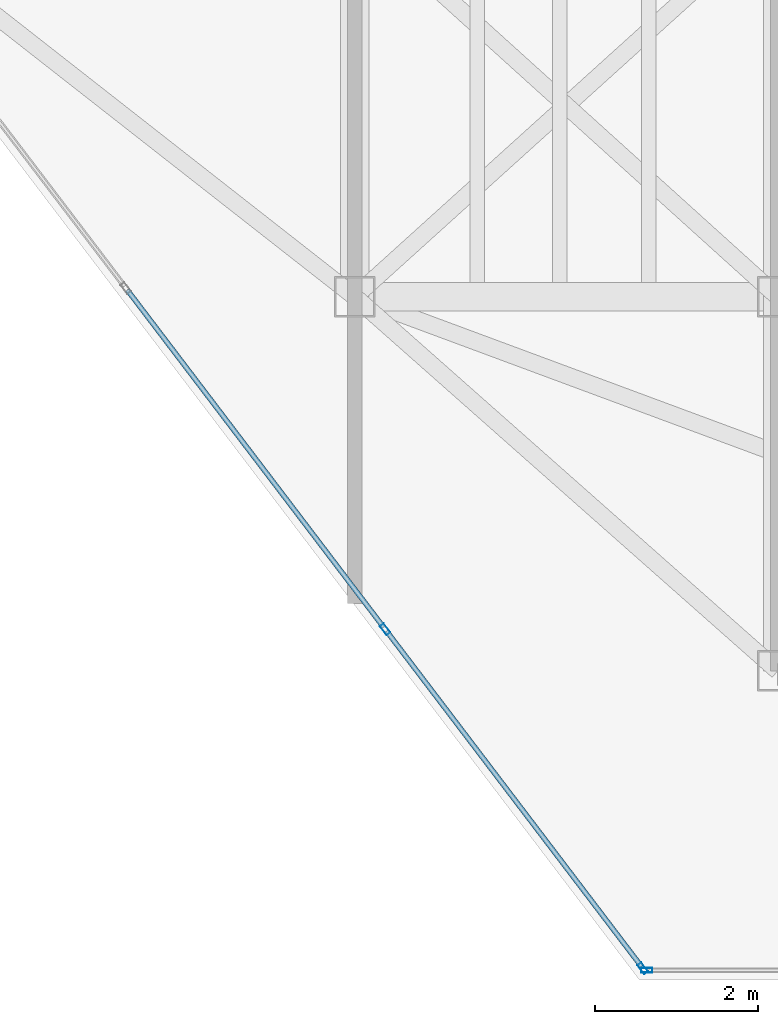
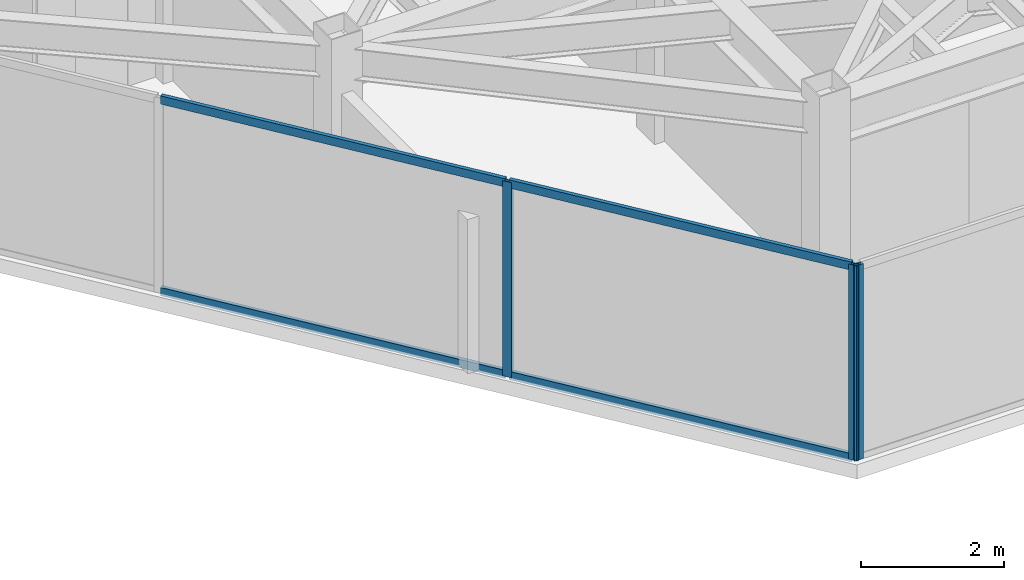
# One storey, part 6 of 19: 7 members, 2 elements without a shape of their own.
"""IFC4 building model written with IfcOpenShell, lengths in metres."""

from ifc_helpers import new_model, si_unit, direction, frame, origin, origin_2d, place, context, subcontext, project, spatial, hollow_rectangle, extrude, material, layer, layer_set, material_profile, profile_set, type_object, element, aggregate, save


model = new_model("IFC4")

# Units and contexts
model_context = context("Model", 3, precision=1e-05, world=origin(), true_north=direction((0.0, 1.0)))
body_context = subcontext(model_context, "Body", "Model", "MODEL_VIEW")
ifc_project = project(units=[si_unit("LENGTHUNIT", "METRE"), si_unit("AREAUNIT", "SQUARE_METRE"), si_unit("VOLUMEUNIT", "CUBIC_METRE"), si_unit("PLANEANGLEUNIT", "RADIAN"), si_unit("MASSUNIT", "GRAM", prefix="KILO")], contexts=[model_context])

# Site, building, storey
site_placement = place(None, origin())
site = spatial("IfcSite", under=ifc_project, at=site_placement, CompositionType="ELEMENT")
building_placement = place(site_placement, origin())
building = spatial("IfcBuilding", under=site, at=building_placement, Name="Kravanh Interchange Tower", CompositionType="ELEMENT")
storey_placement = place(building_placement, frame((0.0, 0.0, 274.199951171875)))
storey = spatial("IfcBuildingStorey", under=building, at=storey_placement, Name="L67", CompositionType="ELEMENT", Elevation=274.199951171875)

# Curtain wall, member
ifc_material_1 = material(Name="Anodised Bronze Aluminium", Category="aluminium")
ifc_layer = layer(ifc_material_1, 0.179931640625)
ifc_layer_set = layer_set([ifc_layer], Name="Unitised Curtain Wall System CW-HTL Luxury Hotel")
curtain_wall_type = type_object("IfcCurtainWallType", Name="Unitised Curtain Wall System CW-HTL Luxury Hotel", PredefinedType="NOTDEFINED", material=ifc_layer_set)
curtain_wall_1_placement = place(storey_placement, origin())
curtain_wall_1 = element("IfcCurtainWall", 1, at=curtain_wall_1_placement, inside=storey, type_object=curtain_wall_type, Name="L67 Unitised Curtain Wall CW-L67-03", PredefinedType="NOTDEFINED")
ifc_material_2 = material(Name="Anodised Bronze Aluminium", Category="aluminium")
ifc_material_profile_1 = material_profile(ifc_material_2, hollow_rectangle(XDim=0.06005859375, YDim=0.139892578125, WallThickness=0.00390625, at=origin_2d()), Name="ALU60X140X4")
ifc_profile_set_1 = profile_set([ifc_material_profile_1], Name="Anodised Bronze Aluminium")
member_type_1 = type_object("IfcMemberType", Name="Curtain Wall Mullion ALU60X140X4 Bronze", PredefinedType="MULLION", material=ifc_profile_set_1)
member_1_placement = place(storey_placement, frame((54.389404296875, 18.52001953125, 0.0), z_axis=(0.0, 0.0, 1.0), x_axis=(0.0, -1.0, 0.0)))
member_1 = element("IfcMember", 2, at=member_1_placement, type_object=member_type_1, Name="CW-HTL mullion 3", PredefinedType="MULLION", context=body_context, shape_type="SweptSolid", body=[
    extrude(hollow_rectangle(XDim=0.06005859375, YDim=0.139892578125, WallThickness=0.00390625, at=origin_2d()), origin(), (0.0, 0.0, 1.0), 3.320068359375),
])
aggregate(curtain_wall_1, [member_1])

# Curtain wall, members
curtain_wall_2_placement = place(storey_placement, origin())
curtain_wall_2 = element("IfcCurtainWall", 3, at=curtain_wall_2_placement, inside=storey, type_object=curtain_wall_type, Name="L67 Unitised Curtain Wall CW-L67-04", PredefinedType="NOTDEFINED")
member_2_placement = place(storey_placement, frame((54.34130859375, 18.5439453125, 0.0), z_axis=(0.0, 0.0, 1.0), x_axis=(-0.79616243806, -0.605082946564, 0.0)))
member_2 = element("IfcMember", 4, at=member_2_placement, type_object=member_type_1, Name="CW-HTL mullion 1", PredefinedType="MULLION", context=body_context, shape_type="SweptSolid", body=[
    extrude(hollow_rectangle(XDim=0.06005859375, YDim=0.139892578125, WallThickness=0.00390625, at=origin_2d()), origin(), (0.0, 0.0, 1.0), 3.320068359375),
])
member_3_placement = place(storey_placement, frame((51.173095703125, 22.712646484375, 0.0), z_axis=(0.0, 0.0, 1.0), x_axis=(-0.79616243806, -0.605082946564, 0.0)))
member_3 = element("IfcMember", 5, at=member_3_placement, type_object=member_type_1, Name="CW-HTL mullion 2", PredefinedType="MULLION", context=body_context, shape_type="SweptSolid", body=[
    extrude(hollow_rectangle(XDim=0.06005859375, YDim=0.139892578125, WallThickness=0.00390625, at=origin_2d()), origin(), (0.0, 0.0, 1.0), 3.320068359375),
])
ifc_material_3 = material(Name="Anodised Bronze Aluminium", Category="aluminium")
ifc_material_profile_2 = material_profile(ifc_material_3, hollow_rectangle(XDim=0.06005859375, YDim=0.139892578125, WallThickness=0.00390625, at=origin_2d()), Name="ALU60X140X4")
ifc_profile_set_2 = profile_set([ifc_material_profile_2], Name="Anodised Bronze Aluminium")
member_type_2 = type_object("IfcMemberType", Name="Curtain Wall Transom ALU60X140X4 Bronze", PredefinedType="USERDEFINED", material=ifc_profile_set_2)
member_4_placement = place(storey_placement, frame((54.3232421875, 18.56787109375, 0.030029296875), z_axis=(-0.605089246946, 0.796157649734, 0.0), x_axis=(-0.796157649734, -0.605089246946, 0.0)))
member_4 = element("IfcMember", 6, at=member_4_placement, type_object=member_type_2, Name="CW-HTL transom 1.1", ObjectType="TRANSOM", PredefinedType="USERDEFINED", context=body_context, shape_type="SweptSolid", body=[
    extrude(hollow_rectangle(XDim=0.06005859375, YDim=0.139892578125, WallThickness=0.00390625, at=origin_2d()), origin(), (0.0, 0.0, 1.0), 5.17626953125),
])
member_5_placement = place(storey_placement, frame((54.3232421875, 18.56787109375, 3.2900390625), z_axis=(-0.605089246946, 0.796157649734, 0.0), x_axis=(-0.796157649734, -0.605089246946, 0.0)))
member_5 = element("IfcMember", 7, at=member_5_placement, type_object=member_type_2, Name="CW-HTL transom 1.2", ObjectType="TRANSOM", PredefinedType="USERDEFINED", context=body_context, shape_type="SweptSolid", body=[
    extrude(hollow_rectangle(XDim=0.06005859375, YDim=0.139892578125, WallThickness=0.00390625, at=origin_2d()), origin(), (0.0, 0.0, 1.0), 5.17626953125),
])
member_6_placement = place(storey_placement, frame((51.15478515625, 22.736572265625, 0.030029296875), z_axis=(-0.605074944506, 0.796168519555, 0.0), x_axis=(-0.796168519555, -0.605074944506, 0.0)))
member_6 = element("IfcMember", 8, at=member_6_placement, type_object=member_type_2, Name="CW-HTL transom 2.1", ObjectType="TRANSOM", PredefinedType="USERDEFINED", context=body_context, shape_type="SweptSolid", body=[
    extrude(hollow_rectangle(XDim=0.06005859375, YDim=0.139892578125, WallThickness=0.00390625, at=origin_2d()), origin(), (0.0, 0.0, 1.0), 5.206298828125),
])
member_7_placement = place(storey_placement, frame((51.15478515625, 22.736572265625, 3.2900390625), z_axis=(-0.605074944506, 0.796168519555, 0.0), x_axis=(-0.796168519555, -0.605074944506, 0.0)))
member_7 = element("IfcMember", 9, at=member_7_placement, type_object=member_type_2, Name="CW-HTL transom 2.2", ObjectType="TRANSOM", PredefinedType="USERDEFINED", context=body_context, shape_type="SweptSolid", body=[
    extrude(hollow_rectangle(XDim=0.06005859375, YDim=0.139892578125, WallThickness=0.00390625, at=origin_2d()), origin(), (0.0, 0.0, 1.0), 5.206298828125),
])
aggregate(curtain_wall_2, [member_2, member_3, member_4, member_5, member_6, member_7])

save(model, "model.ifc")
